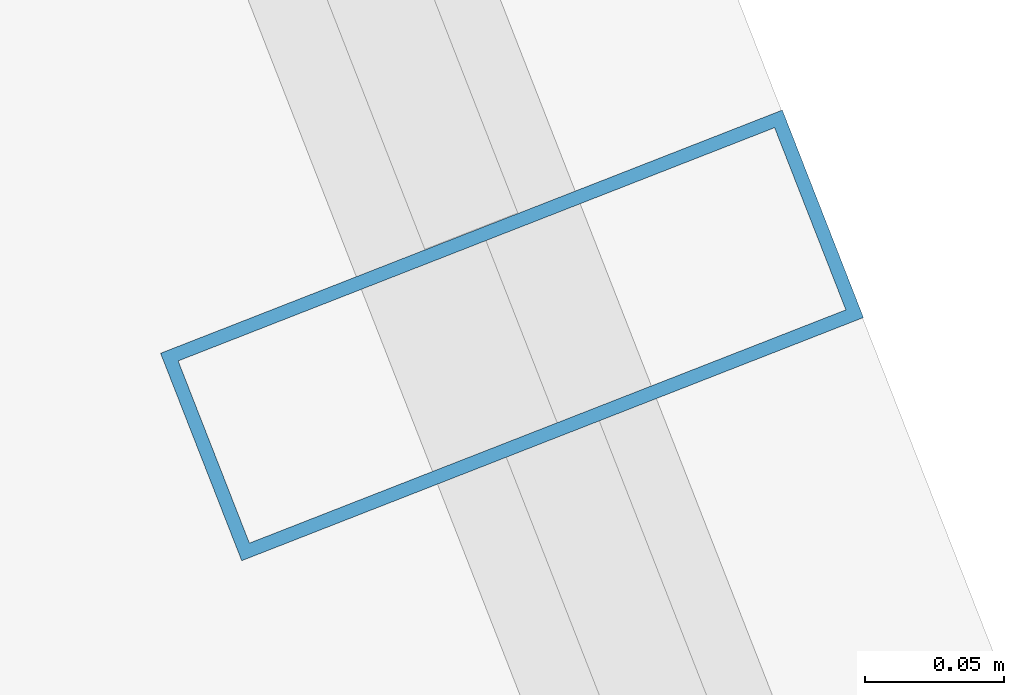
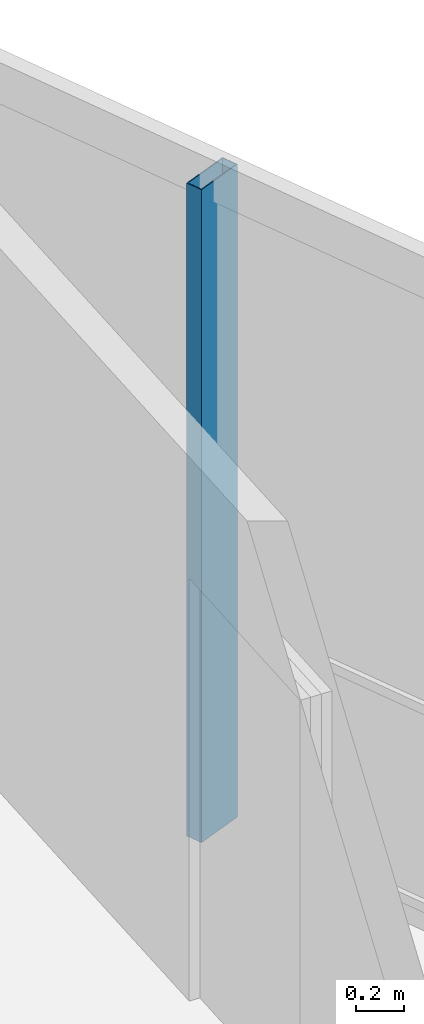
# One storey, part 12 of 19: 1 member, 1 element without a shape of its own.
"""IFC4 building model written with IfcOpenShell, lengths in metres."""

from ifc_helpers import new_model, si_unit, direction, frame, origin, origin_2d, place, context, subcontext, project, spatial, hollow_rectangle, extrude, material, layer, layer_set, material_profile, profile_set, type_object, element, aggregate, save


model = new_model("IFC4")

# Units and contexts
model_context = context("Model", 3, precision=1e-05, world=origin(), true_north=direction((0.0, 1.0)))
body_context = subcontext(model_context, "Body", "Model", "MODEL_VIEW")
ifc_project = project(units=[si_unit("LENGTHUNIT", "METRE"), si_unit("AREAUNIT", "SQUARE_METRE"), si_unit("VOLUMEUNIT", "CUBIC_METRE"), si_unit("PLANEANGLEUNIT", "RADIAN"), si_unit("MASSUNIT", "GRAM", prefix="KILO")], contexts=[model_context])

# Site, building, storey
site_placement = place(None, origin())
site = spatial("IfcSite", under=ifc_project, at=site_placement, CompositionType="ELEMENT")
building_placement = place(site_placement, origin())
building = spatial("IfcBuilding", under=site, at=building_placement, Name="Qarnah Convention Tower", CompositionType="ELEMENT")
storey_placement = place(building_placement, frame((0.0, 0.0, 260.699951171875)))
storey = spatial("IfcBuildingStorey", under=building, at=storey_placement, Name="L70", CompositionType="ELEMENT", Elevation=260.699951171875)

# Curtain wall, member
ifc_material_1 = material(Name="Tempered Low-E dark glass", Category="glass")
ifc_layer = layer(ifc_material_1, 0.176025390625)
ifc_layer_set = layer_set([ifc_layer], Name="Tempered Low-E dark glass")
curtain_wall_type = type_object("IfcCurtainWallType", Name="CWS-05", PredefinedType="NOTDEFINED", material=ifc_layer_set)
curtain_wall_placement = place(storey_placement, origin())
curtain_wall = element("IfcCurtainWall", 1, at=curtain_wall_placement, inside=storey, type_object=curtain_wall_type, Name="L70 unitised curtain wall CW-L70-F2", PredefinedType="NOTDEFINED")
ifc_material_2 = material(Name="Black anodised aluminium", Category="aluminium")
ifc_material_profile = material_profile(ifc_material_2, hollow_rectangle(XDim=0.080078125, YDim=0.239990234375, WallThickness=0.0048828125, at=origin_2d()), Name="MUL-80X240")
ifc_profile_set = profile_set([ifc_material_profile], Name="Black anodised aluminium")
member_type = type_object("IfcMemberType", Name="MUL-T5", PredefinedType="MULLION", material=ifc_profile_set)
member_placement = place(storey_placement, frame((50.093994140625, 34.4130859375, 0.0), z_axis=(0.0, 0.0, 1.0), x_axis=(0.364218048519, -0.931313702859, 0.0)))
member = element("IfcMember", 2, at=member_placement, type_object=member_type, Name="CW-L70-F2 mullion 3", PredefinedType="MULLION", context=body_context, shape_type="SweptSolid", body=[
    extrude(hollow_rectangle(XDim=0.080078125, YDim=0.239990234375, WallThickness=0.0048828125, at=origin_2d()), origin(), (0.0, 0.0, 1.0), 3.320068359375),
])
aggregate(curtain_wall, [member])

save(model, "model.ifc")
